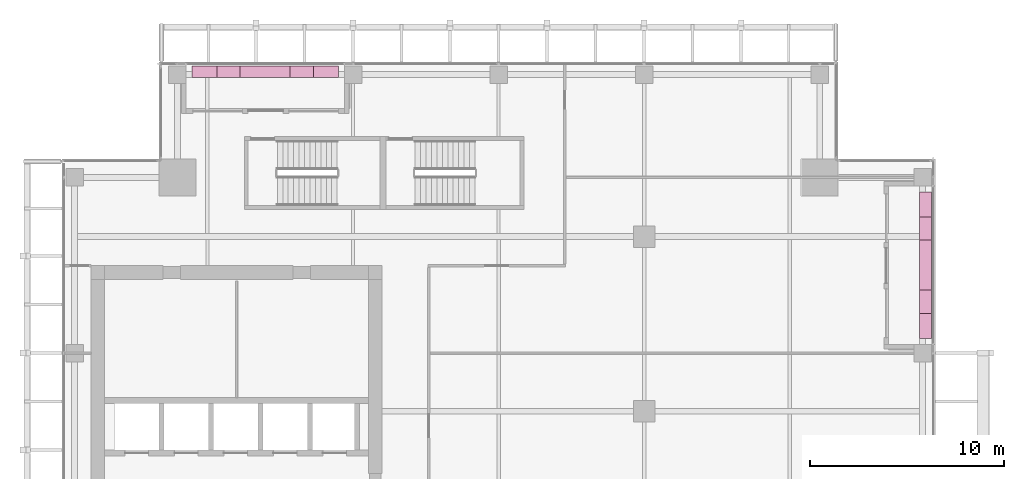
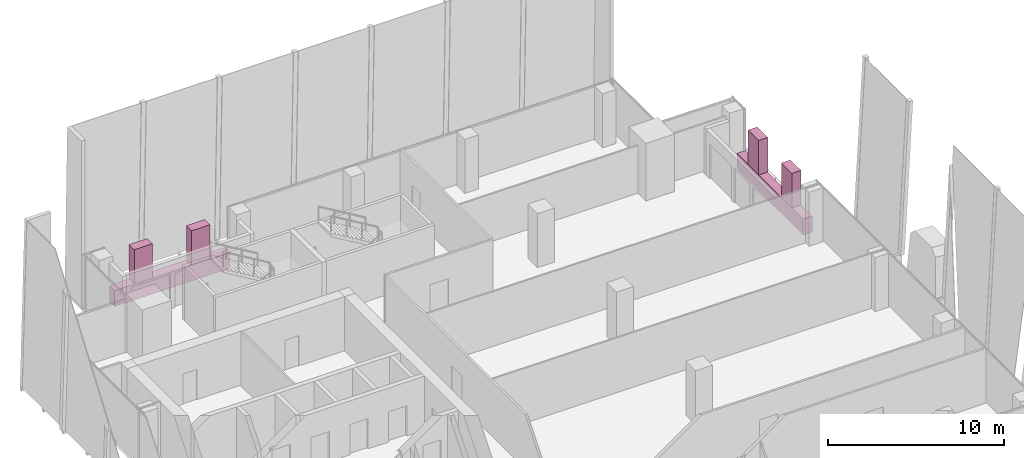
# One storey, part 35 of 35: 6 furnishings.
"""IFC4 building model written with IfcOpenShell, lengths in metres."""

from ifc_helpers import new_model, si_unit, direction, frame, origin, origin_2d, place, context, subcontext, project, spatial, rectangle, extrude, source, transform, mapped, material, type_object, element, save


model = new_model("IFC4")

# Units and contexts
model_context = context("Model", 3, precision=1e-05, world=origin(), true_north=direction((0.0, 1.0)))
body_context = subcontext(model_context, "Body", "Model", "MODEL_VIEW")
ifc_project = project(units=[si_unit("LENGTHUNIT", "METRE"), si_unit("AREAUNIT", "SQUARE_METRE"), si_unit("VOLUMEUNIT", "CUBIC_METRE"), si_unit("PLANEANGLEUNIT", "RADIAN"), si_unit("MASSUNIT", "GRAM", prefix="KILO")], contexts=[model_context])

# Site, building, storey
site_placement = place(None, origin())
site = spatial("IfcSite", under=ifc_project, at=site_placement, CompositionType="ELEMENT")
building_placement = place(site_placement, origin())
building = spatial("IfcBuilding", under=site, at=building_placement, Name="Khomas Fold Tower", CompositionType="ELEMENT")
storey_placement = place(building_placement, frame((0.0, 0.0, 246.199951171875)))
storey = spatial("IfcBuildingStorey", under=building, at=storey_placement, Name="L55", CompositionType="ELEMENT", Elevation=246.199951171875)

# Furnishings
ifc_material_1 = material(Name="Planting")
furnishing_element_type_1 = type_object("IfcFurnishingElementType", Name="BL-Tree Karee", material=ifc_material_1)
shared_shape_1 = source(origin(), body_context, "Body", "SweptSolid", [
    extrude(rectangle(XDim=1.199951171875, YDim=0.60009765625, at=origin_2d()), origin(), (0.0, 0.0, 1.0), 2.39501953125),
])
furnishing_1_placement = place(storey_placement, frame((49.0, 37.137451171875, 1.054931640625), z_axis=(0.0, 0.0, 1.0), x_axis=(0.0, 1.0, 0.0)))
element("IfcFurnishingElement", 1, at=furnishing_1_placement, inside=storey, type_object=furnishing_element_type_1, Name="PLANTER (TREE) Karee BAL-L55-E4-1", context=body_context, shape_type="MappedRepresentation", body=[
    mapped(shared_shape_1, transform((0.0, 0.0, 0.0))),
])
ifc_material_2 = material(Name="Planting")
furnishing_element_type_2 = type_object("IfcFurnishingElementType", Name="BL-Tree Wild olive", material=ifc_material_2)
furnishing_2_placement = place(storey_placement, frame((49.0, 40.91259765625, 1.054931640625), z_axis=(0.0, 0.0, 1.0), x_axis=(0.0, 1.0, 0.0)))
element("IfcFurnishingElement", 2, at=furnishing_2_placement, inside=storey, type_object=furnishing_element_type_2, Name="PLANTER (TREE) Wild olive BAL-L55-E4-2", context=body_context, shape_type="MappedRepresentation", body=[
    mapped(shared_shape_1, transform((0.0, 0.0, 0.0))),
])
furnishing_3_placement = place(storey_placement, frame((13.08740234375, 49.0, 1.054931640625), z_axis=(0.0, 0.0, 1.0), x_axis=(1.0, 0.0, 0.0)))
element("IfcFurnishingElement", 3, at=furnishing_3_placement, inside=storey, type_object=furnishing_element_type_1, Name="PLANTER (TREE) Karee BAL-L55-N1-1", context=body_context, shape_type="MappedRepresentation", body=[
    mapped(shared_shape_1, transform((0.0, 0.0, 0.0))),
])
furnishing_4_placement = place(storey_placement, frame((16.862548828125, 49.0, 1.054931640625), z_axis=(0.0, 0.0, 1.0), x_axis=(1.0, 0.0, 0.0)))
element("IfcFurnishingElement", 4, at=furnishing_4_placement, inside=storey, type_object=furnishing_element_type_2, Name="PLANTER (TREE) Wild olive BAL-L55-N1-2", context=body_context, shape_type="MappedRepresentation", body=[
    mapped(shared_shape_1, transform((0.0, 0.0, 0.0))),
])
ifc_material_3 = material(Name="Precast concrete C40/50", Category="concrete")
furnishing_element_type_3 = type_object("IfcFurnishingElementType", Name="BL-Structural planter box", material=ifc_material_3)
shared_shape_2 = source(origin(), body_context, "Body", "SweptSolid", [
    extrude(rectangle(XDim=7.550048828125, YDim=0.60009765625, at=origin_2d()), origin(), (0.0, 0.0, 1.0), 1.10009765625),
])
for number, where, z_axis, x_axis, name in (
    (5, (49.0, 39.02490234375, -0.044921875), (0.0, 0.0, 1.0), (0.0, 1.0, 0.0), "PLANTER BAL-L55-E4"),
    (6, (14.97509765625, 49.0, -0.044921875), (0.0, 0.0, 1.0), (1.0, 0.0, 0.0), "PLANTER BAL-L55-N1"),
):
    element("IfcFurnishingElement", number, at=place(storey_placement, frame(where, z_axis=z_axis, x_axis=x_axis)), inside=storey, type_object=furnishing_element_type_3, Name=name, context=body_context, shape_type="MappedRepresentation", body=[
        mapped(shared_shape_2, transform((0.0, 0.0, 0.0))),
    ])

save(model, "model.ifc")
